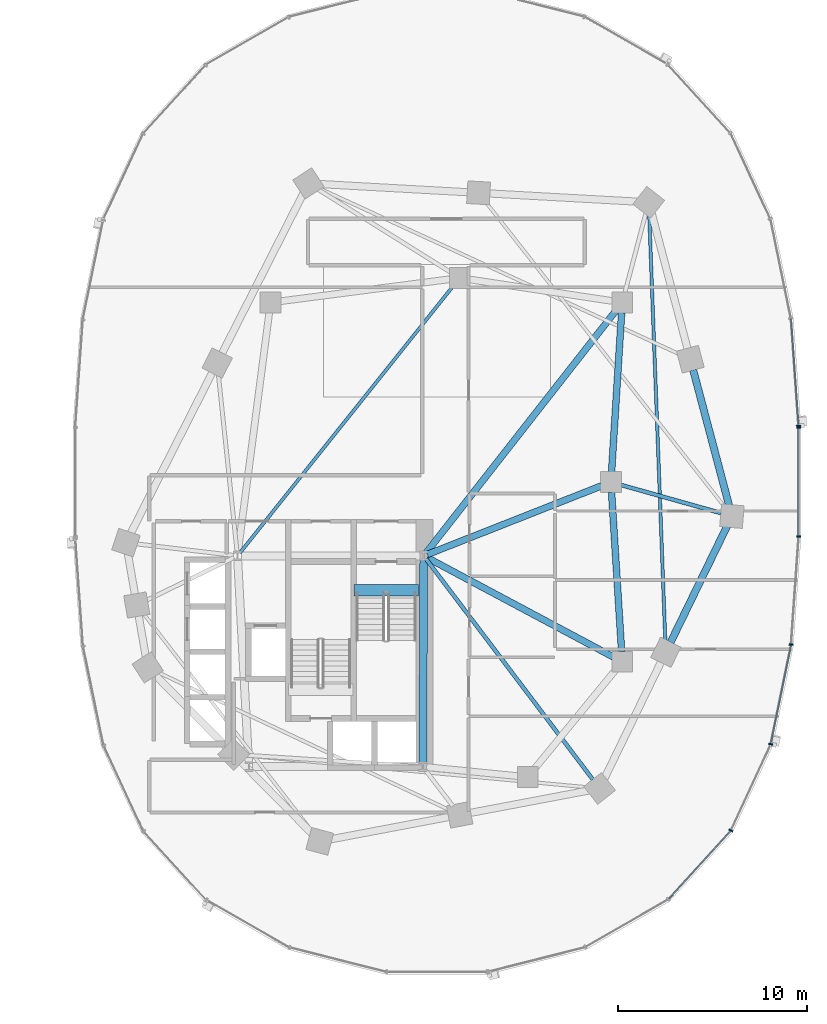
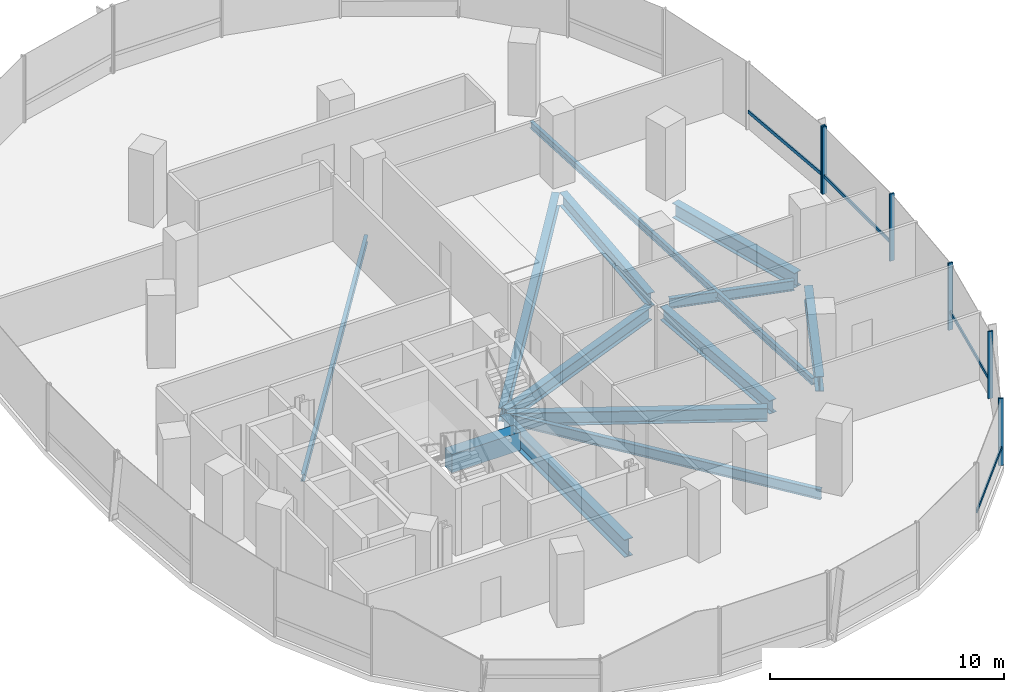
# One storey, part 6 of 21: 13 beams, 10 members, 2 elements without a shape of their own.
"""IFC4 building model written with IfcOpenShell, lengths in metres."""

import ifcopenshell
import ifcopenshell.guid

model = None  # the IFC model being written
_history = None  # IfcOwnerHistory: only IFC2X3 demands one
_inside = {}  # id of a spatial element -> (the spatial element, [elements in it])
_under = {}  # id of a project, library or spatial element -> (it, [spatial elements below it])
_declared = {}  # id of a project -> (the project, [libraries it declares])
_typed = {}  # id of a type object -> (the type object, [elements of that type])
_made_of = {}  # id of a material, layer set ... -> (it, [elements and type objects made of it])


def new_model(schema):
    """Start an empty IFC model of exactly this schema.

    Asked for "IFC4X3", IfcOpenShell would pick the latest addendum, in which some entities
    have other attributes; the version numbers below select the first issue.
    IFC2X3 requires an IfcOwnerHistory on every rooted entity: one is made here for all.
    """
    global model, _history
    if schema == "IFC4X3":
        model = ifcopenshell.file(schema_version=(4, 3, 0, 0))
    else:
        model = ifcopenshell.file(schema=schema)
    _inside.clear()
    _under.clear()
    _declared.clear()
    _typed.clear()
    _made_of.clear()
    _history = None
    if model.schema == "IFC2X3":
        org = make("IfcOrganization", Name="unknown")
        user = make(
            "IfcPersonAndOrganization",
            ThePerson=make("IfcPerson", FamilyName="unknown"),
            TheOrganization=org,
        )
        app = make(
            "IfcApplication",
            ApplicationDeveloper=org,
            Version="unknown",
            ApplicationFullName="unknown",
            ApplicationIdentifier="unknown",
        )
        _history = make(
            "IfcOwnerHistory",
            OwningUser=user,
            OwningApplication=app,
            ChangeAction="ADDED",
            CreationDate=0,
        )
    return model


def make(cls, **values):
    """One entity of the class cls with the attributes given. An attribute that is None is left unset."""
    return model.create_entity(
        cls, **{name: value for name, value in values.items() if value is not None}
    )


def rooted(cls, **values):
    """An entity with a GlobalId (a new one), such as an element, a storey or a relation."""
    return make(cls, GlobalId=ifcopenshell.guid.new(), OwnerHistory=_history, **values)


def si_unit(unit_type, name, prefix=None):
    """IfcSIUnit, for example si_unit("LENGTHUNIT", "METRE", prefix="MILLI")."""
    return make("IfcSIUnit", UnitType=unit_type, Prefix=prefix, Name=name)


def assignment(units):
    """IfcUnitAssignment: the units of a project."""
    return None if units is None else make("IfcUnitAssignment", Units=units)


def point(xyz):
    """IfcCartesianPoint."""
    return None if xyz is None else make("IfcCartesianPoint", Coordinates=xyz)


def direction(xyz):
    """IfcDirection."""
    return None if xyz is None else make("IfcDirection", DirectionRatios=xyz)


def frame(location, z_axis=None, x_axis=None):
    """IfcAxis2Placement3D, a coordinate frame: its origin and axes. An axis left out is left unset."""
    return make(
        "IfcAxis2Placement3D",
        Location=point(location),
        Axis=direction(z_axis),
        RefDirection=direction(x_axis),
    )


def frame_2d(location, x_axis=None):
    """IfcAxis2Placement2D, a coordinate frame in the plane: its origin and x axis."""
    return make(
        "IfcAxis2Placement2D", Location=point(location), RefDirection=direction(x_axis)
    )


def origin():
    """The frame at (0, 0, 0) with its axes left unset."""
    return frame((0.0, 0.0, 0.0))


def origin_2d():
    """The frame at (0, 0) in the plane with its x axis left unset."""
    return frame_2d((0.0, 0.0))


def place(relative_to, where):
    """IfcLocalPlacement: puts the frame where relative to a parent placement (None: the world)."""
    return make(
        "IfcLocalPlacement", PlacementRelTo=relative_to, RelativePlacement=where
    )


def context(
    kind, dimensions, precision=None, world=None, true_north=None, identifier=None
):
    """IfcGeometricRepresentationContext, for example the 3D "Model" context."""
    return make(
        "IfcGeometricRepresentationContext",
        ContextIdentifier=identifier,
        ContextType=kind,
        CoordinateSpaceDimension=dimensions,
        Precision=precision,
        WorldCoordinateSystem=world,
        TrueNorth=true_north,
    )


def subcontext(parent, identifier, kind, view, scale=None):
    """IfcGeometricRepresentationSubContext, for example "Body" below "Model"."""
    return make(
        "IfcGeometricRepresentationSubContext",
        ContextIdentifier=identifier,
        ContextType=kind,
        ParentContext=parent,
        TargetScale=scale,
        TargetView=view,
    )


def project(units=None, contexts=None):
    """IfcProject with its units and contexts."""
    return rooted(
        "IfcProject",
        Name="project",
        RepresentationContexts=contexts,
        UnitsInContext=assignment(units),
    )


def spatial(cls, under=None, at=None, **own):
    """A site, building, storey or space (cls), placed at a placement, below another one or the project."""
    s = rooted(cls, ObjectPlacement=at, **own)
    if under is not None:
        _under.setdefault(under.id(), (under, []))[1].append(s)
    return s


def profile(cls, at=None, kind="AREA", **sizes):
    """A parametric profile (cls). Its sizes go by their IFC names, for example OverallWidth=200.0."""
    return make(cls, ProfileType=kind, Position=at, **sizes)


def rectangle(**sizes):
    """IfcRectangleProfileDef."""
    return profile("IfcRectangleProfileDef", **sizes)


def i_section(**sizes):
    """IfcIShapeProfileDef."""
    return profile("IfcIShapeProfileDef", **sizes)


def extrude(swept, where, along, depth):
    """IfcExtrudedAreaSolid: the profile swept, set in the frame where, extruded along a direction by depth."""
    return make(
        "IfcExtrudedAreaSolid",
        SweptArea=swept,
        Position=where,
        ExtrudedDirection=direction(along),
        Depth=depth,
    )


def shape(context_of_items, identifier, shape_type, items):
    """IfcShapeRepresentation: the items that make up one representation, for example the "Body"."""
    return make(
        "IfcShapeRepresentation",
        ContextOfItems=context_of_items,
        RepresentationIdentifier=identifier,
        RepresentationType=shape_type,
        Items=items,
    )


def material(Name=None, Category=None):
    """IfcMaterial."""
    return make("IfcMaterial", Name=Name, Category=Category)


def material_profile(
    of_material, cross_section, Name=None, Category=None, Priority=None
):
    """IfcMaterialProfile: a cross section and its material."""
    return make(
        "IfcMaterialProfile",
        Name=Name,
        Material=of_material,
        Profile=cross_section,
        Priority=Priority,
        Category=Category,
    )


def profile_set(profiles, Name=None, composite=None):
    """IfcMaterialProfileSet."""
    return make(
        "IfcMaterialProfileSet",
        Name=Name,
        MaterialProfiles=profiles,
        CompositeProfile=composite,
    )


def made_of(thing, what):
    """Note that an element or type object is made of a material, layer set ...; save() writes the relation."""
    if what is not None:
        _made_of.setdefault(what.id(), (what, []))[1].append(thing)
    return thing


def type_object(cls, material=None, **own):
    """A type object (cls), such as IfcWallType, which elements share."""
    return made_of(rooted(cls, **own), material)


def element(
    cls,
    number,
    at=None,
    inside=None,
    cuts=None,
    type_object=None,
    material=None,
    context=None,
    identifier="Body",
    shape_type=None,
    held_by="IfcProductDefinitionShape",
    body=None,
    shapes=None,
    **own,
):
    """One element of the class cls, such as IfcWall. Its Tag is "e" and its number.

    at: its placement. inside: the storey or other place that contains it. cuts: it is an
    opening in that element (IfcRelVoidsElement). A single representation is given by context,
    identifier, shape_type and body (its items); several are given by shapes. held_by: the class
    of the entity that holds the representations. save() writes the other relations.
    """
    e = rooted(cls, Tag="e%d" % number, ObjectPlacement=at, **own)
    if body is not None:
        shapes = [shape(context, identifier, shape_type, body)]
    if shapes is not None:
        e.Representation = make(held_by, Representations=shapes)
    if inside is not None:
        _inside.setdefault(inside.id(), (inside, []))[1].append(e)
    if cuts is not None:
        rooted(
            "IfcRelVoidsElement", RelatingBuildingElement=cuts, RelatedOpeningElement=e
        )
    if type_object is not None:
        _typed.setdefault(type_object.id(), (type_object, []))[1].append(e)
    return made_of(e, material)


def aggregate(whole, parts):
    """IfcRelAggregates: a whole, such as a stair, and the parts it consists of."""
    return rooted("IfcRelAggregates", RelatingObject=whole, RelatedObjects=parts)


def save(model, path):
    """Write the relations noted so far, then the file.

    IfcRelAggregates (storeys below a building ...), IfcRelContainedInSpatialStructure (elements
    in a storey), IfcRelDefinesByType, IfcRelAssociatesMaterial and IfcRelDeclares: one each for
    every whole, place, type object, material and project.
    """
    for whole, parts in _under.values():
        aggregate(whole, parts)
    for where, things in _inside.values():
        rooted(
            "IfcRelContainedInSpatialStructure",
            RelatedElements=things,
            RelatingStructure=where,
        )
    for kind, things in _typed.values():
        rooted("IfcRelDefinesByType", RelatedObjects=things, RelatingType=kind)
    for what, things in _made_of.values():
        rooted("IfcRelAssociatesMaterial", RelatedObjects=things, RelatingMaterial=what)
    for by, libraries in _declared.values():
        rooted("IfcRelDeclares", RelatingContext=by, RelatedDefinitions=libraries)
    model.write(path)


model = new_model("IFC4")

# Units and contexts
model_context = context("Model", 3, precision=1e-05, world=origin(), true_north=direction((0.0, 1.0)))
body_context = subcontext(model_context, "Body", "Model", "MODEL_VIEW")
ifc_project = project(units=[si_unit("LENGTHUNIT", "METRE"), si_unit("AREAUNIT", "SQUARE_METRE"), si_unit("VOLUMEUNIT", "CUBIC_METRE"), si_unit("PLANEANGLEUNIT", "RADIAN"), si_unit("MASSUNIT", "GRAM", prefix="KILO"), si_unit("THERMODYNAMICTEMPERATUREUNIT", "KELVIN"), si_unit("POWERUNIT", "WATT")], contexts=[model_context])

# Site, building, storey
site_placement = place(None, origin())
site = spatial("IfcSite", under=ifc_project, at=site_placement, CompositionType="ELEMENT")
building_placement = place(site_placement, origin())
building = spatial("IfcBuilding", under=site, at=building_placement, Name="Cundina Bronze Exchange", CompositionType="ELEMENT")
storey_placement = place(building_placement, frame((0.0, 0.0, 46.800048828125)))
storey = spatial("IfcBuildingStorey", under=building, at=storey_placement, Name="L11", CompositionType="ELEMENT", Elevation=46.800048828125)

# Beams
ifc_material_1 = material(Name="Concrete C60/75", Category="concrete")
ifc_material_profile_1 = material_profile(ifc_material_1, rectangle(XDim=0.60009765625, YDim=0.949951171875, at=origin_2d()), Name="RC600X950", Category="concrete")
ifc_profile_set_1 = profile_set([ifc_material_profile_1], Name="Concrete C60/75")
beam_type_1 = type_object("IfcBeamType", Name="BM-COUP-RC950", PredefinedType="LINTEL", material=ifc_profile_set_1)
beam_1_placement = place(storey_placement, frame((27.6201171875, -5.719970703125, -0.47509765625), z_axis=(1.0, 0.0, 0.0), x_axis=(0.0, 1.0, 0.0)))
element("IfcBeam", 1, at=beam_1_placement, inside=storey, type_object=beam_type_1, Name="L11 Stair E1 Landing Header Beam", PredefinedType="LINTEL", context=body_context, shape_type="SweptSolid", body=[
    extrude(rectangle(XDim=0.60009765625, YDim=0.949951171875, at=origin_2d()), origin(), (0.0, 0.0, 1.0), 3.39990234375),
])
ifc_material_2 = material(Name="Steel ASTM A992 Grade 50", Category="steel")
ifc_material_profile_2 = material_profile(ifc_material_2, i_section(OverallWidth=0.2099609375, OverallDepth=0.532958984375, WebThickness=0.01025390625, FlangeThickness=0.015625, FilletRadius=0.013916015625, at=origin_2d()), Name="W21X62", Category="steel")
ifc_profile_set_2 = profile_set([ifc_material_profile_2], Name="Steel ASTM A992 Grade 50")
beam_type_2 = type_object("IfcBeamType", Name="BM-FLR-W21B", PredefinedType="BEAM", material=ifc_profile_set_2)
beam_2_placement = place(storey_placement, frame((31.423095703125, -4.062744140625, -0.566650390625), z_axis=(0.603106461849, -0.797660702101, 0.0), x_axis=(0.797660702101, 0.603106461849, 0.0)))
element("IfcBeam", 2, at=beam_2_placement, inside=storey, type_object=beam_type_2, Name="L11 Leg E Chordal Floor Beam 06", PredefinedType="BEAM", context=body_context, shape_type="SweptSolid", body=[
    extrude(i_section(OverallWidth=0.2099609375, OverallDepth=0.532958984375, WebThickness=0.01025390625, FlangeThickness=0.015625, FilletRadius=0.013916015625, at=origin_2d()), origin(), (0.0, 0.0, 1.0), 14.6279296875),
])
beam_3_placement = place(storey_placement, frame((41.718017578125, -0.145751953125, -0.566650390625), z_axis=(0.962650219971, -0.270748137554, 0.0), x_axis=(0.270748137554, 0.962650219971, 0.0)))
element("IfcBeam", 3, at=beam_3_placement, inside=storey, type_object=beam_type_2, Name="L11 Leg E Chordal Floor Beam 08", PredefinedType="BEAM", context=body_context, shape_type="SweptSolid", body=[
    extrude(i_section(OverallWidth=0.2099609375, OverallDepth=0.532958984375, WebThickness=0.01025390625, FlangeThickness=0.015625, FilletRadius=0.013916015625, at=origin_2d()), origin(), (0.0, 0.0, 1.0), 5.522216796875),
])
ifc_material_profile_3 = material_profile(ifc_material_2, i_section(OverallWidth=0.172119140625, OverallDepth=0.35791015625, WebThickness=0.0078125, FlangeThickness=0.01318359375, FilletRadius=0.010009765625, at=origin_2d()), Name="W14X38", Category="steel")
ifc_profile_set_3 = profile_set([ifc_material_profile_3], Name="Steel ASTM A992 Grade 50")
beam_type_3 = type_object("IfcBeamType", Name="BM-JST-W14", PredefinedType="JOIST", material=ifc_profile_set_3)
beam_4_placement = place(storey_placement, frame((21.577392578125, -3.740478515625, -0.47900390625), z_axis=(0.62436887964, 0.781129632095, 0.0), x_axis=(-0.781129632095, 0.62436887964, 0.0)))
element("IfcBeam", 4, at=beam_4_placement, inside=storey, type_object=beam_type_3, Name="L11 E Interior Core-to-Ring Joist 2", PredefinedType="JOIST", context=body_context, shape_type="SweptSolid", body=[
    extrude(i_section(OverallWidth=0.172119140625, OverallDepth=0.35791015625, WebThickness=0.0078125, FlangeThickness=0.01318359375, FilletRadius=0.010009765625, at=origin_2d()), origin(), (0.0, 0.0, 1.0), 18.076904296875),
])
beam_5_placement = place(storey_placement, frame((44.077880859375, -8.412353515625, -0.47900390625), z_axis=(-0.037794949147, 0.999285515666, 0.0), x_axis=(-0.999285515666, -0.037794949147, 0.0)))
element("IfcBeam", 5, at=beam_5_placement, inside=storey, type_object=beam_type_3, Name="L11 Leg E Lobe Floor Joist 07-10", PredefinedType="JOIST", context=body_context, shape_type="SweptSolid", body=[
    extrude(i_section(OverallWidth=0.172119140625, OverallDepth=0.35791015625, WebThickness=0.0078125, FlangeThickness=0.01318359375, FilletRadius=0.010009765625, at=origin_2d()), origin(), (0.0, 0.0, 1.0), 22.640869140625),
])
ifc_material_profile_4 = material_profile(ifc_material_2, i_section(OverallWidth=0.35498046875, OverallDepth=0.695068359375, WebThickness=0.015380859375, FlangeThickness=0.02490234375, FilletRadius=0.01806640625, at=origin_2d()), Name="W27X146", Category="steel")
ifc_profile_set_4 = profile_set([ifc_material_profile_4], Name="Steel ASTM A992 Grade 50")
beam_type_4 = type_object("IfcBeamType", Name="BM-RING-W27", PredefinedType="USERDEFINED", material=ifc_profile_set_4)
for number, where, z_axis, x_axis, name in (
    (6, (41.76611328125, -8.963134765625, -0.6474609375), (-0.06303715519, 0.998011180832, 0.0), (-0.998011180832, -0.06303715519, 0.0), "L11 E Inner Structural Ring Girder 03"),
    (7, (41.23388671875, 0.536865234375, -0.6474609375), (0.06303715519, 0.998011180832, 0.0), (-0.998011180832, 0.06303715519, 0.0), "L11 E Inner Structural Ring Girder 04"),
):
    element("IfcBeam", number, at=place(storey_placement, frame(where, z_axis=z_axis, x_axis=x_axis)), inside=storey, type_object=beam_type_4, Name=name, ObjectType="GIRDER", PredefinedType="USERDEFINED", context=body_context, shape_type="SweptSolid", body=[
        extrude(i_section(OverallWidth=0.35498046875, OverallDepth=0.695068359375, WebThickness=0.015380859375, FlangeThickness=0.02490234375, FilletRadius=0.01806640625, at=origin_2d()), origin(), (0.0, 0.0, 1.0), 8.443115234375),
    ])
beam_6_placement = place(storey_placement, frame((31.48974609375, -3.8251953125, -0.6474609375), z_axis=(0.930413235418, 0.366512225388, 0.0), x_axis=(-0.366512225388, 0.930413235418, 0.0)))
element("IfcBeam", 8, at=beam_6_placement, inside=storey, type_object=beam_type_4, Name="L11 E Core-to-Waist Tie Beam 1", ObjectType="GIRDER", PredefinedType="USERDEFINED", context=body_context, shape_type="SweptSolid", body=[
    extrude(i_section(OverallWidth=0.35498046875, OverallDepth=0.695068359375, WebThickness=0.015380859375, FlangeThickness=0.02490234375, FilletRadius=0.01806640625, at=origin_2d()), origin(), (0.0, 0.0, 1.0), 9.8984375),
])
beam_7_placement = place(storey_placement, frame((31.47998046875, -3.99609375, -0.6474609375), z_axis=(0.882354758239, -0.470584828286, 0.0), x_axis=(0.470584828286, 0.882354758239, 0.0)))
element("IfcBeam", 9, at=beam_7_placement, inside=storey, type_object=beam_type_4, Name="L11 E Core-to-Waist Tie Beam 2", ObjectType="GIRDER", PredefinedType="USERDEFINED", context=body_context, shape_type="SweptSolid", body=[
    extrude(i_section(OverallWidth=0.35498046875, OverallDepth=0.695068359375, WebThickness=0.015380859375, FlangeThickness=0.02490234375, FilletRadius=0.01806640625, at=origin_2d()), origin(), (0.0, 0.0, 1.0), 11.157958984375),
])
beam_8_placement = place(storey_placement, frame((31.42578125, -3.739501953125, -0.6474609375), z_axis=(0.616789275748, 0.787128318206, 0.0), x_axis=(-0.787128318206, 0.616789275748, 0.0)))
element("IfcBeam", 10, at=beam_8_placement, inside=storey, type_object=beam_type_4, Name="L11 E Core-to-Waist Tie Beam 3", ObjectType="GIRDER", PredefinedType="USERDEFINED", context=body_context, shape_type="SweptSolid", body=[
    extrude(i_section(OverallWidth=0.35498046875, OverallDepth=0.695068359375, WebThickness=0.015380859375, FlangeThickness=0.02490234375, FilletRadius=0.01806640625, at=origin_2d()), origin(), (0.0, 0.0, 1.0), 16.281982421875),
])
ifc_material_profile_5 = material_profile(ifc_material_2, i_section(OverallWidth=0.381103515625, OverallDepth=0.77294921875, WebThickness=0.0166015625, FlangeThickness=0.027099609375, FilletRadius=0.01904296875, at=origin_2d()), Name="W30X173", Category="steel")
ifc_profile_set_5 = profile_set([ifc_material_profile_5], Name="Steel ASTM A992 Grade 50")
beam_type_5 = type_object("IfcBeamType", Name="BM-RING-W30", PredefinedType="USERDEFINED", material=ifc_profile_set_5)
beam_9_placement = place(storey_placement, frame((44.357177734375, -8.47119140625, -0.6865234375), z_axis=(0.437190698904, 0.899368830231, 0.0), x_axis=(-0.899368830231, 0.437190698904, 0.0)))
element("IfcBeam", 11, at=beam_9_placement, inside=storey, type_object=beam_type_5, Name="L11 E Perimeter Ring Girder 07", ObjectType="GIRDER", PredefinedType="USERDEFINED", context=body_context, shape_type="SweptSolid", body=[
    extrude(i_section(OverallWidth=0.381103515625, OverallDepth=0.77294921875, WebThickness=0.0166015625, FlangeThickness=0.027099609375, FilletRadius=0.01904296875, at=origin_2d()), origin(), (0.0, 0.0, 1.0), 6.82958984375),
])
beam_10_placement = place(storey_placement, frame((47.44921875, -1.231689453125, -0.6865234375), z_axis=(-0.256177785604, 0.966629682021, 0.0), x_axis=(-0.966629682021, -0.256177785604, 0.0)))
element("IfcBeam", 12, at=beam_10_placement, inside=storey, type_object=beam_type_5, Name="L11 E Perimeter Ring Girder 08", ObjectType="GIRDER", PredefinedType="USERDEFINED", context=body_context, shape_type="SweptSolid", body=[
    extrude(i_section(OverallWidth=0.381103515625, OverallDepth=0.77294921875, WebThickness=0.0166015625, FlangeThickness=0.027099609375, FilletRadius=0.01904296875, at=origin_2d()), origin(), (0.0, 0.0, 1.0), 7.41064453125),
])
ifc_material_profile_6 = material_profile(ifc_material_2, i_section(OverallWidth=0.41796875, OverallDepth=0.927001953125, WebThickness=0.019287109375, FlangeThickness=0.031982421875, FilletRadius=0.02392578125, at=origin_2d()), Name="W36X231", Category="steel")
ifc_profile_set_6 = profile_set([ifc_material_profile_6], Name="Steel ASTM A992 Grade 50")
beam_type_6 = type_object("IfcBeamType", Name="BM-WRN-W36B", PredefinedType="USERDEFINED", material=ifc_profile_set_6)
beam_11_placement = place(storey_placement, frame((31.2509765625, -14.845947265625, -0.763427734375), z_axis=(0.004477329608, 0.99998997671, 0.0), x_axis=(-0.99998997671, 0.004477329608, 0.0)))
element("IfcBeam", 13, at=beam_11_placement, inside=storey, type_object=beam_type_6, Name="L11 E Core Perimeter Tie Girder 4", ObjectType="GIRDER", PredefinedType="USERDEFINED", context=body_context, shape_type="SweptSolid", body=[
    extrude(i_section(OverallWidth=0.41796875, OverallDepth=0.927001953125, WebThickness=0.019287109375, FlangeThickness=0.031982421875, FilletRadius=0.02392578125, at=origin_2d()), origin(), (0.0, 0.0, 1.0), 10.741943359375),
])

# Curtain wall, member
ifc_material_3 = material(Name="Anodised Bronze Aluminium 6063-T6", Category="aluminium")
curtain_wall_type = type_object("IfcCurtainWallType", Name="CWS-TRD-LOW", PredefinedType="NOTDEFINED", material=ifc_material_3)
curtain_wall_1_placement = place(storey_placement, origin())
curtain_wall_1 = element("IfcCurtainWall", 14, at=curtain_wall_1_placement, inside=storey, type_object=curtain_wall_type, Name="L11 CW-02 Curtain Wall Run CWR-L11-E1", PredefinedType="NOTDEFINED")
ifc_material_profile_7 = material_profile(ifc_material_3, rectangle(XDim=0.074951171875, YDim=0.219970703125, at=origin_2d()), Name="AL75X220", Category="aluminium")
ifc_profile_set_7 = profile_set([ifc_material_profile_7], Name="Anodised Bronze Aluminium 6063-T6")
member_type_1 = type_object("IfcMemberType", Name="CWM-MUL-220", PredefinedType="MULLION", material=ifc_profile_set_7)
member_1_placement = place(storey_placement, frame((51.12451171875, 2.976318359375, 0.0), z_axis=(0.0, 0.0, 1.0), x_axis=(-0.070278787473, 0.997527389113, 0.0)))
member_1 = element("IfcMember", 15, at=member_1_placement, type_object=member_type_1, Name="CW-02 Mullion 1", PredefinedType="MULLION", context=body_context, shape_type="SweptSolid", body=[
    extrude(rectangle(XDim=0.074951171875, YDim=0.219970703125, at=origin_2d()), origin(), (0.0, 0.0, 1.0), 3.5),
])

# Curtain wall, members
curtain_wall_2_placement = place(storey_placement, origin())
curtain_wall_2 = element("IfcCurtainWall", 16, at=curtain_wall_2_placement, inside=storey, type_object=curtain_wall_type, Name="L11 CW-02 Curtain Wall Run CWR-L11-E4", PredefinedType="NOTDEFINED")
member_2_placement = place(storey_placement, frame((47.544189453125, -18.423583984375, 0.0), z_axis=(0.0, 0.0, 1.0), x_axis=(0.42087749791, 0.907117485088, 0.0)))
member_2 = element("IfcMember", 17, at=member_2_placement, type_object=member_type_1, Name="CW-02 Mullion 4", PredefinedType="MULLION", context=body_context, shape_type="SweptSolid", body=[
    extrude(rectangle(XDim=0.074951171875, YDim=0.219970703125, at=origin_2d()), origin(), (0.0, 0.0, 1.0), 3.5),
])
member_3_placement = place(storey_placement, frame((49.651123046875, -13.861328125, 0.0), z_axis=(0.0, 0.0, 1.0), x_axis=(0.201419845156, 0.979505000486, 0.0)))
member_3 = element("IfcMember", 18, at=member_3_placement, type_object=member_type_1, Name="CW-02 Mullion 5", PredefinedType="MULLION", context=body_context, shape_type="SweptSolid", body=[
    extrude(rectangle(XDim=0.074951171875, YDim=0.219970703125, at=origin_2d()), origin(), (0.0, 0.0, 1.0), 3.5),
])
member_4_placement = place(storey_placement, frame((50.72900390625, -8.591552734375, 0.0), z_axis=(0.0, 0.0, 1.0), x_axis=(0.070278787473, 0.997527389113, 0.0)))
member_4 = element("IfcMember", 19, at=member_4_placement, type_object=member_type_1, Name="CW-02 Mullion 6", PredefinedType="MULLION", context=body_context, shape_type="SweptSolid", body=[
    extrude(rectangle(XDim=0.074951171875, YDim=0.219970703125, at=origin_2d()), origin(), (0.0, 0.0, 1.0), 3.5),
])
member_5_placement = place(storey_placement, frame((51.1279296875, -2.880615234375, 0.0), z_axis=(0.0, 0.0, 1.0), x_axis=(0.0, 1.0, 0.0)))
member_5 = element("IfcMember", 20, at=member_5_placement, type_object=member_type_1, Name="CW-02 Mullion 7", PredefinedType="MULLION", context=body_context, shape_type="SweptSolid", body=[
    extrude(rectangle(XDim=0.074951171875, YDim=0.219970703125, at=origin_2d()), origin(), (0.0, 0.0, 1.0), 3.5),
])
member_6_placement = place(storey_placement, frame((51.1279296875, 2.880615234375, 0.0), z_axis=(0.0, 0.0, 1.0), x_axis=(0.0, 1.0, 0.0)))
member_6 = element("IfcMember", 21, at=member_6_placement, type_object=member_type_1, Name="CW-02 End Mullion", PredefinedType="MULLION", context=body_context, shape_type="SweptSolid", body=[
    extrude(rectangle(XDim=0.074951171875, YDim=0.219970703125, at=origin_2d()), origin(), (0.0, 0.0, 1.0), 3.5),
])

# Member
ifc_material_profile_8 = material_profile(ifc_material_3, rectangle(XDim=0.070068359375, YDim=0.179931640625, at=origin_2d()), Name="AL70X180", Category="aluminium")
ifc_profile_set_8 = profile_set([ifc_material_profile_8], Name="Anodised Bronze Aluminium 6063-T6")
member_type_2 = type_object("IfcMemberType", Name="CWM-TRN-180", PredefinedType="USERDEFINED", material=ifc_profile_set_8)
member_7_placement = place(storey_placement, frame((51.12158203125, 3.017333984375, 0.919921875), z_axis=(-0.070260714471, 0.997528662246, 0.0), x_axis=(-0.997528662246, -0.070260714471, 0.0)))
member_7 = element("IfcMember", 22, at=member_7_placement, type_object=member_type_2, Name="CW-02 Spandrel Transom 1", ObjectType="TRANSOM", PredefinedType="USERDEFINED", context=body_context, shape_type="SweptSolid", body=[
    extrude(rectangle(XDim=0.070068359375, YDim=0.179931640625, at=origin_2d()), origin(), (0.0, 0.0, 1.0), 5.629150390625),
])

aggregate(curtain_wall_1, [member_1, member_7])

member_8_placement = place(storey_placement, frame((44.26708984375, -22.027099609375, 0.919921875), z_axis=(0.674302794847, 0.738454968743, 0.0), x_axis=(-0.738454968743, 0.674302794847, 0.0)))
member_8 = element("IfcMember", 23, at=member_8_placement, type_object=member_type_2, Name="CW-02 Spandrel Transom 3", ObjectType="TRANSOM", PredefinedType="USERDEFINED", context=body_context, shape_type="SweptSolid", body=[
    extrude(rectangle(XDim=0.070068359375, YDim=0.179931640625, at=origin_2d()), origin(), (0.0, 0.0, 1.0), 4.848388671875),
])

member_9_placement = place(storey_placement, frame((49.659423828125, -13.821044921875, 0.919921875), z_axis=(0.201427712708, 0.979503382615, 0.0), x_axis=(-0.979503382615, 0.201427712708, 0.0)))
member_9 = element("IfcMember", 24, at=member_9_placement, type_object=member_type_2, Name="CW-02 Spandrel Transom 5", ObjectType="TRANSOM", PredefinedType="USERDEFINED", context=body_context, shape_type="SweptSolid", body=[
    extrude(rectangle(XDim=0.070068359375, YDim=0.179931640625, at=origin_2d()), origin(), (0.0, 0.0, 1.0), 5.291748046875),
])

member_10_placement = place(storey_placement, frame((51.1279296875, -2.839111328125, 0.919921875), z_axis=(0.0, 1.0, 0.0), x_axis=(-1.0, 0.0, 0.0)))
member_10 = element("IfcMember", 25, at=member_10_placement, type_object=member_type_2, Name="CW-02 Spandrel Transom 7", ObjectType="TRANSOM", PredefinedType="USERDEFINED", context=body_context, shape_type="SweptSolid", body=[
    extrude(rectangle(XDim=0.070068359375, YDim=0.179931640625, at=origin_2d()), origin(), (0.0, 0.0, 1.0), 5.67822265625),
])

aggregate(curtain_wall_2, [member_8, member_2, member_3, member_9, member_4, member_5, member_6, member_10])

save(model, "model.ifc")
